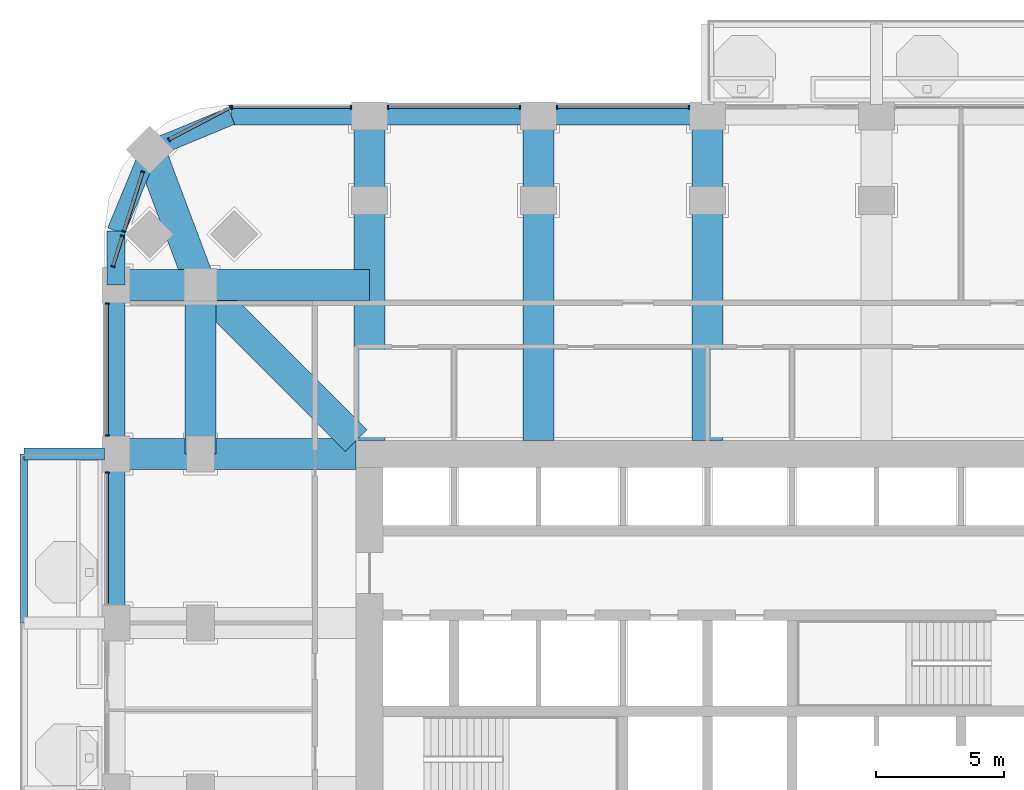
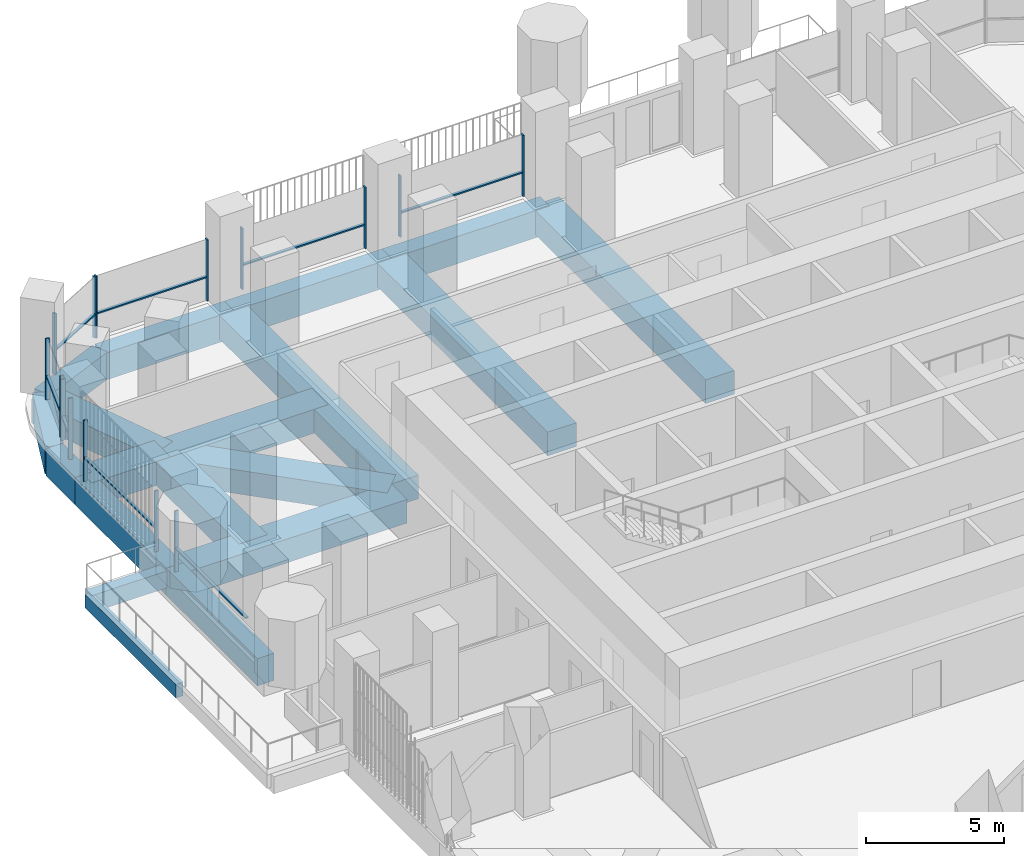
# One storey, part 6 of 22: 23 members, 19 beams, 8 elements without a shape of their own.
"""IFC4 building model written with IfcOpenShell, lengths in metres."""

from ifc_helpers import new_model, si_unit, direction, frame, origin, origin_2d, place, context, subcontext, project, spatial, rectangle, extrude, material, material_profile, profile_set, type_object, element, aggregate, save


model = new_model("IFC4")

# Units and contexts
model_context = context("Model", 3, precision=1e-05, world=origin(), true_north=direction((0.0, 1.0)))
body_context = subcontext(model_context, "Body", "Model", "MODEL_VIEW")
ifc_project = project(units=[si_unit("LENGTHUNIT", "METRE"), si_unit("AREAUNIT", "SQUARE_METRE"), si_unit("VOLUMEUNIT", "CUBIC_METRE"), si_unit("PLANEANGLEUNIT", "RADIAN"), si_unit("MASSUNIT", "GRAM", prefix="KILO")], contexts=[model_context])

# Site, building, storey
site_placement = place(None, origin())
site = spatial("IfcSite", under=ifc_project, at=site_placement, CompositionType="ELEMENT")
building_placement = place(site_placement, origin())
building = spatial("IfcBuilding", under=site, at=building_placement, Name="Cobogo Forest Laboratory Tower", CompositionType="ELEMENT")
storey_placement = place(building_placement, frame((0.0, 0.0, 120.0)))
storey = spatial("IfcBuildingStorey", under=building, at=storey_placement, Name="L27", CompositionType="ELEMENT", Elevation=120.0)

# Beams
ifc_material_1 = material(Name="Concrete HA-40 (C40/50)", Category="concrete")
ifc_material_profile_1 = material_profile(ifc_material_1, rectangle(XDim=0.449951171875, YDim=0.75, at=origin_2d()), Name="RC 450x750")
ifc_profile_set_1 = profile_set([ifc_material_profile_1], Name="Concrete HA-40 (C40/50)")
beam_type_1 = type_object("IfcBeamType", Name="Balcony cantilever beam 450x750", PredefinedType="BEAM", material=ifc_profile_set_1)
beam_1_placement = place(storey_placement, frame((2.85009765625, 33.0, -0.625), z_axis=(-1.0, 0.0, 0.0), x_axis=(0.0, -1.0, 0.0)))
element("IfcBeam", 1, at=beam_1_placement, inside=storey, type_object=beam_type_1, Name="CB1 BAL-W1-C3 L27", PredefinedType="BEAM", context=body_context, shape_type="SweptSolid", body=[
    extrude(rectangle(XDim=0.449951171875, YDim=0.75, at=origin_2d()), origin(), (0.0, 0.0, 1.0), 3.150146484375),
])
ifc_material_profile_2 = material_profile(ifc_material_1, rectangle(XDim=0.300048828125, YDim=0.60009765625, at=origin_2d()), Name="RC 300x600")
ifc_profile_set_2 = profile_set([ifc_material_profile_2], Name="Concrete HA-40 (C40/50)")
beam_type_2 = type_object("IfcBeamType", Name="Balcony edge beam 300x600", PredefinedType="BEAM", material=ifc_profile_set_2)
beam_2_placement = place(storey_placement, frame((-0.300048828125, 26.39990234375, -0.550048828125), z_axis=(0.0, 1.0, 0.0), x_axis=(-1.0, 0.0, 0.0)))
element("IfcBeam", 2, at=beam_2_placement, inside=storey, type_object=beam_type_2, Name="BB1 BAL-W1-T2 L27", PredefinedType="BEAM", context=body_context, shape_type="SweptSolid", body=[
    extrude(rectangle(XDim=0.300048828125, YDim=0.60009765625, at=origin_2d()), origin(), (0.0, 0.0, 1.0), 6.60009765625),
])
ifc_material_profile_3 = material_profile(ifc_material_1, rectangle(XDim=1.199951171875, YDim=1.050048828125, at=origin_2d()), Name="RC 1200x1050")
ifc_profile_set_3 = profile_set([ifc_material_profile_3], Name="Concrete HA-40 (C40/50)")
beam_type_3 = type_object("IfcBeamType", Name="Laboratory floor wide beam 1200x1050", PredefinedType="BEAM", material=ifc_profile_set_3)
for number, where, z_axis, x_axis, name in (
    (3, (13.199951171875, 33.52490234375, -0.824951171875), (0.0, 1.0, 0.0), (-1.0, 0.0, 0.0), "RB1 R-3-N L27"),
    (4, (19.800048828125, 33.52490234375, -0.824951171875), (0.0, 1.0, 0.0), (-1.0, 0.0, 0.0), "RB1 R-4-N L27"),
    (5, (26.39990234375, 33.52490234375, -0.824951171875), (0.0, 1.0, 0.0), (-1.0, 0.0, 0.0), "RB1 R-5-N L27"),
):
    element("IfcBeam", number, at=place(storey_placement, frame(where, z_axis=z_axis, x_axis=x_axis)), inside=storey, type_object=beam_type_3, Name=name, PredefinedType="BEAM", context=body_context, shape_type="SweptSolid", body=[
        extrude(rectangle(XDim=1.199951171875, YDim=1.050048828125, at=origin_2d()), origin(), (0.0, 0.0, 1.0), 12.675048828125),
    ])
beam_3_placement = place(storey_placement, frame((12.675048828125, 33.0, -0.824951171875), z_axis=(-1.0, 0.0, 0.0), x_axis=(0.0, -1.0, 0.0)))
element("IfcBeam", 6, at=beam_3_placement, inside=storey, type_object=beam_type_3, Name="RB1 R-F-W L27", PredefinedType="BEAM", context=body_context, shape_type="SweptSolid", body=[
    extrude(rectangle(XDim=1.199951171875, YDim=1.050048828125, at=origin_2d()), origin(), (0.0, 0.0, 1.0), 9.375),
])
beam_4_placement = place(storey_placement, frame((6.60009765625, 39.60009765625, -0.824951171875), z_axis=(0.0, -1.0, 0.0), x_axis=(1.0, 0.0, 0.0)))
element("IfcBeam", 7, at=beam_4_placement, inside=storey, type_object=beam_type_3, Name="RB1 G-NW-XC L27", PredefinedType="BEAM", context=body_context, shape_type="SweptSolid", body=[
    extrude(rectangle(XDim=1.199951171875, YDim=1.050048828125, at=origin_2d()), origin(), (0.0, 0.0, 1.0), 6.60009765625),
])
beam_5_placement = place(storey_placement, frame((3.300048828125, 39.60009765625, -0.824951171875), z_axis=(1.0, 0.0, 0.0), x_axis=(0.0, 1.0, 0.0)))
element("IfcBeam", 8, at=beam_5_placement, inside=storey, type_object=beam_type_3, Name="RB1 G-NW-YF L27", PredefinedType="BEAM", context=body_context, shape_type="SweptSolid", body=[
    extrude(rectangle(XDim=1.199951171875, YDim=1.050048828125, at=origin_2d()), origin(), (0.0, 0.0, 1.0), 3.300048828125),
])
beam_6_placement = place(storey_placement, frame((6.60009765625, 39.60009765625, -0.824951171875), z_axis=(1.0, 0.0, 0.0), x_axis=(0.0, 1.0, 0.0)))
element("IfcBeam", 9, at=beam_6_placement, inside=storey, type_object=beam_type_3, Name="RB1 G-NW-YC L27", PredefinedType="BEAM", context=body_context, shape_type="SweptSolid", body=[
    extrude(rectangle(XDim=1.199951171875, YDim=1.050048828125, at=origin_2d()), origin(), (0.0, 0.0, 1.0), 6.599853515625),
])
beam_7_placement = place(storey_placement, frame((4.617919921875, 44.882080078125, -0.824951171875), z_axis=(0.351346325373, -0.936245565889, 0.0), x_axis=(0.936245565889, 0.351346325373, 0.0)))
element("IfcBeam", 10, at=beam_7_placement, inside=storey, type_object=beam_type_3, Name="RB1 G-NW-D1 L27", PredefinedType="BEAM", context=body_context, shape_type="SweptSolid", body=[
    extrude(rectangle(XDim=1.199951171875, YDim=1.050048828125, at=origin_2d()), origin(), (0.0, 0.0, 1.0), 5.6416015625),
])
beam_8_placement = place(storey_placement, frame((6.60009765625, 39.60009765625, -0.824951171875), z_axis=(0.707092572697, -0.70712098939, 0.0), x_axis=(0.70712098939, 0.707092572697, 0.0)))
element("IfcBeam", 11, at=beam_8_placement, inside=storey, type_object=beam_type_3, Name="RB1 G-NW-D2 L27", PredefinedType="BEAM", context=body_context, shape_type="SweptSolid", body=[
    extrude(rectangle(XDim=1.199951171875, YDim=1.050048828125, at=origin_2d()), origin(), (0.0, 0.0, 1.0), 8.591552734375),
])

# Curtain wall, members
ifc_material_2 = material(Name="Aluminium curtain wall", Category="aluminium")
curtain_wall_type = type_object("IfcCurtainWallType", Name="CW-1 unitised curtain wall, clear glazing, laboratory floors zones A and B", PredefinedType="USERDEFINED", material=ifc_material_2)
curtain_wall_1_placement = place(storey_placement, origin())
curtain_wall_1 = element("IfcCurtainWall", 12, at=curtain_wall_1_placement, inside=storey, type_object=curtain_wall_type, Name="Curtain wall 21 L27", ObjectType="UNITISED CURTAIN WALL", PredefinedType="USERDEFINED")
ifc_material_3 = material(Name="Aluminium mullion", Category="aluminium")
ifc_material_profile_4 = material_profile(ifc_material_3, rectangle(XDim=0.06005859375, YDim=0.159912109375, at=origin_2d()), Name="AL 60x160")
ifc_profile_set_4 = profile_set([ifc_material_profile_4], Name="Aluminium mullion")
member_type_1 = type_object("IfcMemberType", Name="MU-1 aluminium mullion 60x160", PredefinedType="MULLION", material=ifc_profile_set_4)
member_1_placement = place(storey_placement, frame((25.669921875, 46.550048828125, 0.0), z_axis=(0.0, 0.0, 1.0), x_axis=(-1.0, 0.0, 0.0)))
member_1 = element("IfcMember", 13, at=member_1_placement, type_object=member_type_1, Name="CW-1 mullion 1", PredefinedType="MULLION", context=body_context, shape_type="SweptSolid", body=[
    extrude(rectangle(XDim=0.06005859375, YDim=0.159912109375, at=origin_2d()), origin(), (0.0, 0.0, 1.0), 2.699951171875),
])
member_2_placement = place(storey_placement, frame((20.530029296875, 46.550048828125, 0.0), z_axis=(0.0, 0.0, 1.0), x_axis=(-1.0, 0.0, 0.0)))
member_2 = element("IfcMember", 14, at=member_2_placement, type_object=member_type_1, Name="CW-1 mullion 2", PredefinedType="MULLION", context=body_context, shape_type="SweptSolid", body=[
    extrude(rectangle(XDim=0.06005859375, YDim=0.159912109375, at=origin_2d()), origin(), (0.0, 0.0, 1.0), 2.699951171875),
])

curtain_wall_2_placement = place(storey_placement, origin())
curtain_wall_2 = element("IfcCurtainWall", 15, at=curtain_wall_2_placement, inside=storey, type_object=curtain_wall_type, Name="Curtain wall 22 L27", ObjectType="UNITISED CURTAIN WALL", PredefinedType="USERDEFINED")
member_3_placement = place(storey_placement, frame((19.070068359375, 46.550048828125, 0.0), z_axis=(0.0, 0.0, 1.0), x_axis=(-1.0, 0.0, 0.0)))
member_3 = element("IfcMember", 16, at=member_3_placement, type_object=member_type_1, Name="CW-1 mullion 1", PredefinedType="MULLION", context=body_context, shape_type="SweptSolid", body=[
    extrude(rectangle(XDim=0.06005859375, YDim=0.159912109375, at=origin_2d()), origin(), (0.0, 0.0, 1.0), 2.699951171875),
])
member_4_placement = place(storey_placement, frame((13.929931640625, 46.550048828125, 0.0), z_axis=(0.0, 0.0, 1.0), x_axis=(-1.0, 0.0, 0.0)))
member_4 = element("IfcMember", 17, at=member_4_placement, type_object=member_type_1, Name="CW-1 mullion 2", PredefinedType="MULLION", context=body_context, shape_type="SweptSolid", body=[
    extrude(rectangle(XDim=0.06005859375, YDim=0.159912109375, at=origin_2d()), origin(), (0.0, 0.0, 1.0), 2.699951171875),
])

curtain_wall_3_placement = place(storey_placement, origin())
curtain_wall_3 = element("IfcCurtainWall", 18, at=curtain_wall_3_placement, inside=storey, type_object=curtain_wall_type, Name="Curtain wall 23 L27", ObjectType="UNITISED CURTAIN WALL", PredefinedType="USERDEFINED")
member_5_placement = place(storey_placement, frame((12.469970703125, 46.550048828125, 0.0), z_axis=(0.0, 0.0, 1.0), x_axis=(-1.0, 0.0, 0.0)))
member_5 = element("IfcMember", 19, at=member_5_placement, type_object=member_type_1, Name="CW-1 mullion 1", PredefinedType="MULLION", context=body_context, shape_type="SweptSolid", body=[
    extrude(rectangle(XDim=0.06005859375, YDim=0.159912109375, at=origin_2d()), origin(), (0.0, 0.0, 1.0), 2.699951171875),
])
member_6_placement = place(storey_placement, frame((7.830078125, 46.550048828125, 0.0), z_axis=(0.0, 0.0, 1.0), x_axis=(-1.0, 0.0, 0.0)))
member_6 = element("IfcMember", 20, at=member_6_placement, type_object=member_type_1, Name="CW-1 mullion 2", PredefinedType="MULLION", context=body_context, shape_type="SweptSolid", body=[
    extrude(rectangle(XDim=0.06005859375, YDim=0.159912109375, at=origin_2d()), origin(), (0.0, 0.0, 1.0), 2.699951171875),
])

curtain_wall_4_placement = place(storey_placement, origin())
curtain_wall_4 = element("IfcCurtainWall", 21, at=curtain_wall_4_placement, inside=storey, type_object=curtain_wall_type, Name="Curtain wall 24 L27", ObjectType="UNITISED CURTAIN WALL", PredefinedType="USERDEFINED")
member_7_placement = place(storey_placement, frame((7.7734375, 46.5361328125, 0.0), z_axis=(0.0, 0.0, 1.0), x_axis=(-0.885686547075, -0.464283685186, 0.0)))
member_7 = element("IfcMember", 22, at=member_7_placement, type_object=member_type_1, Name="CW-1 mullion 1", PredefinedType="MULLION", context=body_context, shape_type="SweptSolid", body=[
    extrude(rectangle(XDim=0.06005859375, YDim=0.159912109375, at=origin_2d()), origin(), (0.0, 0.0, 1.0), 2.699951171875),
])
member_8_placement = place(storey_placement, frame((5.368408203125, 45.275390625, 0.0), z_axis=(0.0, 0.0, 1.0), x_axis=(-0.885686547075, -0.464283685186, 0.0)))
member_8 = element("IfcMember", 23, at=member_8_placement, type_object=member_type_1, Name="CW-1 mullion 2", PredefinedType="MULLION", context=body_context, shape_type="SweptSolid", body=[
    extrude(rectangle(XDim=0.06005859375, YDim=0.159912109375, at=origin_2d()), origin(), (0.0, 0.0, 1.0), 2.699951171875),
])

curtain_wall_5_placement = place(storey_placement, origin())
curtain_wall_5 = element("IfcCurtainWall", 24, at=curtain_wall_5_placement, inside=storey, type_object=curtain_wall_type, Name="Curtain wall 25 L27", ObjectType="UNITISED CURTAIN WALL", PredefinedType="USERDEFINED")
member_9_placement = place(storey_placement, frame((4.34423828125, 44.01513671875, 0.0), z_axis=(0.0, 0.0, 1.0), x_axis=(-0.301135291996, -0.953581425949, 0.0)))
member_9 = element("IfcMember", 25, at=member_9_placement, type_object=member_type_1, Name="CW-1 mullion 1", PredefinedType="MULLION", context=body_context, shape_type="SweptSolid", body=[
    extrude(rectangle(XDim=0.06005859375, YDim=0.159912109375, at=origin_2d()), origin(), (0.0, 0.0, 1.0), 2.699951171875),
])
member_10_placement = place(storey_placement, frame((3.613037109375, 41.69970703125, 0.0), z_axis=(0.0, 0.0, 1.0), x_axis=(-0.301135291996, -0.953581425949, 0.0)))
member_10 = element("IfcMember", 26, at=member_10_placement, type_object=member_type_1, Name="CW-1 mullion 2", PredefinedType="MULLION", context=body_context, shape_type="SweptSolid", body=[
    extrude(rectangle(XDim=0.06005859375, YDim=0.159912109375, at=origin_2d()), origin(), (0.0, 0.0, 1.0), 2.699951171875),
])

curtain_wall_6_placement = place(storey_placement, origin())
curtain_wall_6 = element("IfcCurtainWall", 27, at=curtain_wall_6_placement, inside=storey, type_object=curtain_wall_type, Name="Curtain wall 26 L27", ObjectType="UNITISED CURTAIN WALL", PredefinedType="USERDEFINED")
member_11_placement = place(storey_placement, frame((3.55224609375, 41.507080078125, 0.0), z_axis=(0.0, 0.0, 1.0), x_axis=(-0.301135356805, -0.953581405483, 0.0)))
member_11 = element("IfcMember", 28, at=member_11_placement, type_object=member_type_1, Name="CW-1 mullion 1", PredefinedType="MULLION", context=body_context, shape_type="SweptSolid", body=[
    extrude(rectangle(XDim=0.06005859375, YDim=0.159912109375, at=origin_2d()), origin(), (0.0, 0.0, 1.0), 2.699951171875),
])
member_12_placement = place(storey_placement, frame((3.18017578125, 40.32861328125, 0.0), z_axis=(0.0, 0.0, 1.0), x_axis=(-0.301135356805, -0.953581405483, 0.0)))
member_12 = element("IfcMember", 29, at=member_12_placement, type_object=member_type_1, Name="CW-1 mullion 2", PredefinedType="MULLION", context=body_context, shape_type="SweptSolid", body=[
    extrude(rectangle(XDim=0.06005859375, YDim=0.159912109375, at=origin_2d()), origin(), (0.0, 0.0, 1.0), 2.699951171875),
])

curtain_wall_7_placement = place(storey_placement, origin())
curtain_wall_7 = element("IfcCurtainWall", 30, at=curtain_wall_7_placement, inside=storey, type_object=curtain_wall_type, Name="Curtain wall 27 L27", ObjectType="UNITISED CURTAIN WALL", PredefinedType="USERDEFINED")
member_13_placement = place(storey_placement, frame((2.949951171875, 38.8701171875, 0.0), z_axis=(0.0, 0.0, 1.0), x_axis=(0.0, -1.0, 0.0)))
member_13 = element("IfcMember", 31, at=member_13_placement, type_object=member_type_1, Name="CW-1 mullion 1", PredefinedType="MULLION", context=body_context, shape_type="SweptSolid", body=[
    extrude(rectangle(XDim=0.06005859375, YDim=0.159912109375, at=origin_2d()), origin(), (0.0, 0.0, 1.0), 2.699951171875),
])
member_14_placement = place(storey_placement, frame((2.949951171875, 33.72998046875, 0.0), z_axis=(0.0, 0.0, 1.0), x_axis=(0.0, -1.0, 0.0)))
member_14 = element("IfcMember", 32, at=member_14_placement, type_object=member_type_1, Name="CW-1 mullion 2", PredefinedType="MULLION", context=body_context, shape_type="SweptSolid", body=[
    extrude(rectangle(XDim=0.06005859375, YDim=0.159912109375, at=origin_2d()), origin(), (0.0, 0.0, 1.0), 2.699951171875),
])

# Curtain wall, member
curtain_wall_8_placement = place(storey_placement, origin())
curtain_wall_8 = element("IfcCurtainWall", 33, at=curtain_wall_8_placement, inside=storey, type_object=curtain_wall_type, Name="Curtain wall 28 L27", ObjectType="UNITISED CURTAIN WALL", PredefinedType="USERDEFINED")
member_15_placement = place(storey_placement, frame((2.949951171875, 32.27001953125, 0.0), z_axis=(0.0, 0.0, 1.0), x_axis=(0.0, -1.0, 0.0)))
member_15 = element("IfcMember", 34, at=member_15_placement, type_object=member_type_1, Name="CW-1 mullion 1", PredefinedType="MULLION", context=body_context, shape_type="SweptSolid", body=[
    extrude(rectangle(XDim=0.06005859375, YDim=0.159912109375, at=origin_2d()), origin(), (0.0, 0.0, 1.0), 2.699951171875),
])

# Beams
ifc_material_profile_5 = material_profile(ifc_material_1, rectangle(XDim=0.699951171875, YDim=1.199951171875, at=origin_2d()), Name="RC 700x1200")
ifc_profile_set_5 = profile_set([ifc_material_profile_5], Name="Concrete HA-40 (C40/50)")
beam_type_4 = type_object("IfcBeamType", Name="Perimeter edge beam 700x1200", PredefinedType="BEAM", material=ifc_profile_set_5)
beam_9_placement = place(storey_placement, frame((13.199951171875, 46.199951171875, -0.89990234375), z_axis=(1.0, 0.0, 0.0), x_axis=(0.0, 1.0, 0.0)))
element("IfcBeam", 35, at=beam_9_placement, inside=storey, type_object=beam_type_4, Name="EB1 E-N1 L27", PredefinedType="BEAM", context=body_context, shape_type="SweptSolid", body=[
    extrude(rectangle(XDim=0.699951171875, YDim=1.199951171875, at=origin_2d()), origin(), (0.0, 0.0, 1.0), 6.60009765625),
])
beam_10_placement = place(storey_placement, frame((19.800048828125, 46.199951171875, -0.89990234375), z_axis=(1.0, 0.0, 0.0), x_axis=(0.0, 1.0, 0.0)))
element("IfcBeam", 36, at=beam_10_placement, inside=storey, type_object=beam_type_4, Name="EB1 E-N2 L27", PredefinedType="BEAM", context=body_context, shape_type="SweptSolid", body=[
    extrude(rectangle(XDim=0.699951171875, YDim=1.199951171875, at=origin_2d()), origin(), (0.0, 0.0, 1.0), 6.599853515625),
])
for number, where, z_axis, x_axis, name in (
    (37, (3.300048828125, 26.39990234375, -0.89990234375), (0.0, 1.0, 0.0), (-1.0, 0.0, 0.0), "EB1 E-W4 L27"),
    (38, (3.300048828125, 33.0, -0.89990234375), (0.0, 1.0, 0.0), (-1.0, 0.0, 0.0), "EB1 E-W5 L27"),
):
    element("IfcBeam", number, at=place(storey_placement, frame(where, z_axis=z_axis, x_axis=x_axis)), inside=storey, type_object=beam_type_4, Name=name, PredefinedType="BEAM", context=body_context, shape_type="SweptSolid", body=[
        extrude(rectangle(XDim=0.699951171875, YDim=1.199951171875, at=origin_2d()), origin(), (0.0, 0.0, 1.0), 6.60009765625),
    ])
beam_11_placement = place(storey_placement, frame((13.199951171875, 46.199951171875, -0.89990234375), z_axis=(-1.0, 0.0, 0.0), x_axis=(0.0, -1.0, 0.0)))
element("IfcBeam", 39, at=beam_11_placement, inside=storey, type_object=beam_type_4, Name="EB1 E-NWN1 L27", PredefinedType="BEAM", context=body_context, shape_type="SweptSolid", body=[
    extrude(rectangle(XDim=0.699951171875, YDim=1.199951171875, at=origin_2d()), origin(), (0.0, 0.0, 1.0), 5.39990234375),
])
beam_12_placement = place(storey_placement, frame((7.800048828125, 46.199951171875, -0.89990234375), z_axis=(-0.923901072997, -0.382631424892, 0.0), x_axis=(0.382631424892, -0.923901072997, 0.0)))
element("IfcBeam", 40, at=beam_12_placement, inside=storey, type_object=beam_type_4, Name="EB1 E-NWN2 L27", PredefinedType="BEAM", context=body_context, shape_type="SweptSolid", body=[
    extrude(rectangle(XDim=0.699951171875, YDim=1.199951171875, at=origin_2d()), origin(), (0.0, 0.0, 1.0), 3.4443359375),
])
beam_13_placement = place(storey_placement, frame((3.300048828125, 39.60009765625, -0.89990234375), z_axis=(0.0, 1.0, 0.0), x_axis=(-1.0, 0.0, 0.0)))
element("IfcBeam", 41, at=beam_13_placement, inside=storey, type_object=beam_type_4, Name="EB1 E-NWW1 L27", PredefinedType="BEAM", context=body_context, shape_type="SweptSolid", body=[
    extrude(rectangle(XDim=0.699951171875, YDim=1.199951171875, at=origin_2d()), origin(), (0.0, 0.0, 1.0), 2.099853515625),
])
beam_14_placement = place(storey_placement, frame((3.300048828125, 41.699951171875, -0.89990234375), z_axis=(0.382631424892, 0.923901072997, 0.0), x_axis=(-0.923901072997, 0.382631424892, 0.0)))
element("IfcBeam", 42, at=beam_14_placement, inside=storey, type_object=beam_type_4, Name="EB1 E-NWW2 L27", PredefinedType="BEAM", context=body_context, shape_type="SweptSolid", body=[
    extrude(rectangle(XDim=0.699951171875, YDim=1.199951171875, at=origin_2d()), origin(), (0.0, 0.0, 1.0), 3.4443359375),
])

# Member
ifc_material_4 = material(Name="Aluminium transom", Category="aluminium")
ifc_material_profile_6 = material_profile(ifc_material_4, rectangle(XDim=0.1201171875, YDim=0.06005859375, at=origin_2d()), Name="AL 60x120")
ifc_profile_set_6 = profile_set([ifc_material_profile_6], Name="Aluminium transom")
member_type_2 = type_object("IfcMemberType", Name="TR-1 aluminium transom 60x120", PredefinedType="USERDEFINED", material=ifc_profile_set_6)
member_16_placement = place(storey_placement, frame((25.639892578125, 46.550048828125, 1.050048828125), z_axis=(-1.0, 0.0, 0.0), x_axis=(0.0, -1.0, 0.0)))
member_16 = element("IfcMember", 43, at=member_16_placement, type_object=member_type_2, Name="CW-1 transom 1.1", ObjectType="TRANSOM", PredefinedType="USERDEFINED", context=body_context, shape_type="SweptSolid", body=[
    extrude(rectangle(XDim=0.1201171875, YDim=0.06005859375, at=origin_2d()), origin(), (0.0, 0.0, 1.0), 5.079833984375),
])

aggregate(curtain_wall_1, [member_1, member_2, member_16])

member_17_placement = place(storey_placement, frame((19.0400390625, 46.550048828125, 1.050048828125), z_axis=(-1.0, 0.0, 0.0), x_axis=(0.0, -1.0, 0.0)))
member_17 = element("IfcMember", 44, at=member_17_placement, type_object=member_type_2, Name="CW-1 transom 1.1", ObjectType="TRANSOM", PredefinedType="USERDEFINED", context=body_context, shape_type="SweptSolid", body=[
    extrude(rectangle(XDim=0.1201171875, YDim=0.06005859375, at=origin_2d()), origin(), (0.0, 0.0, 1.0), 5.080078125),
])

aggregate(curtain_wall_2, [member_3, member_4, member_17])

member_18_placement = place(storey_placement, frame((12.43994140625, 46.550048828125, 1.050048828125), z_axis=(-1.0, 0.0, 0.0), x_axis=(0.0, -1.0, 0.0)))
member_18 = element("IfcMember", 45, at=member_18_placement, type_object=member_type_2, Name="CW-1 transom 1.1", ObjectType="TRANSOM", PredefinedType="USERDEFINED", context=body_context, shape_type="SweptSolid", body=[
    extrude(rectangle(XDim=0.1201171875, YDim=0.06005859375, at=origin_2d()), origin(), (0.0, 0.0, 1.0), 4.579833984375),
])

aggregate(curtain_wall_3, [member_5, member_6, member_18])

member_19_placement = place(storey_placement, frame((7.746826171875, 46.522216796875, 1.050048828125), z_axis=(-0.885694740493, -0.464268054753, 0.0), x_axis=(0.464268054753, -0.885694740493, 0.0)))
member_19 = element("IfcMember", 46, at=member_19_placement, type_object=member_type_2, Name="CW-1 transom 1.1", ObjectType="TRANSOM", PredefinedType="USERDEFINED", context=body_context, shape_type="SweptSolid", body=[
    extrude(rectangle(XDim=0.1201171875, YDim=0.06005859375, at=origin_2d()), origin(), (0.0, 0.0, 1.0), 2.655517578125),
])

aggregate(curtain_wall_4, [member_7, member_8, member_19])

member_20_placement = place(storey_placement, frame((4.335205078125, 43.986328125, 1.050048828125), z_axis=(-0.301156039198, -0.953574873859, 0.0), x_axis=(0.953574873859, -0.301156039198, 0.0)))
member_20 = element("IfcMember", 47, at=member_20_placement, type_object=member_type_2, Name="CW-1 transom 1.1", ObjectType="TRANSOM", PredefinedType="USERDEFINED", context=body_context, shape_type="SweptSolid", body=[
    extrude(rectangle(XDim=0.1201171875, YDim=0.06005859375, at=origin_2d()), origin(), (0.0, 0.0, 1.0), 2.367919921875),
])

aggregate(curtain_wall_5, [member_9, member_10, member_20])

member_21_placement = place(storey_placement, frame((3.543212890625, 41.478515625, 1.050048828125), z_axis=(-0.301051874343, -0.953607764731, 0.0), x_axis=(0.953607764731, -0.301051874343, 0.0)))
member_21 = element("IfcMember", 48, at=member_21_placement, type_object=member_type_2, Name="CW-1 transom 1.1", ObjectType="TRANSOM", PredefinedType="USERDEFINED", context=body_context, shape_type="SweptSolid", body=[
    extrude(rectangle(XDim=0.1201171875, YDim=0.06005859375, at=origin_2d()), origin(), (0.0, 0.0, 1.0), 1.17578125),
])

aggregate(curtain_wall_6, [member_11, member_12, member_21])

member_22_placement = place(storey_placement, frame((2.949951171875, 38.840087890625, 1.050048828125), z_axis=(0.0, -1.0, 0.0), x_axis=(1.0, 0.0, 0.0)))
member_22 = element("IfcMember", 49, at=member_22_placement, type_object=member_type_2, Name="CW-1 transom 1.1", ObjectType="TRANSOM", PredefinedType="USERDEFINED", context=body_context, shape_type="SweptSolid", body=[
    extrude(rectangle(XDim=0.1201171875, YDim=0.06005859375, at=origin_2d()), origin(), (0.0, 0.0, 1.0), 5.080078125),
])

aggregate(curtain_wall_7, [member_13, member_14, member_22])

member_23_placement = place(storey_placement, frame((2.949951171875, 32.239990234375, 1.050048828125), z_axis=(0.0, -1.0, 0.0), x_axis=(1.0, 0.0, 0.0)))
member_23 = element("IfcMember", 50, at=member_23_placement, type_object=member_type_2, Name="CW-1 transom 1.1", ObjectType="TRANSOM", PredefinedType="USERDEFINED", context=body_context, shape_type="SweptSolid", body=[
    extrude(rectangle(XDim=0.1201171875, YDim=0.06005859375, at=origin_2d()), origin(), (0.0, 0.0, 1.0), 5.080078125),
])

aggregate(curtain_wall_8, [member_15, member_23])

save(model, "model.ifc")
